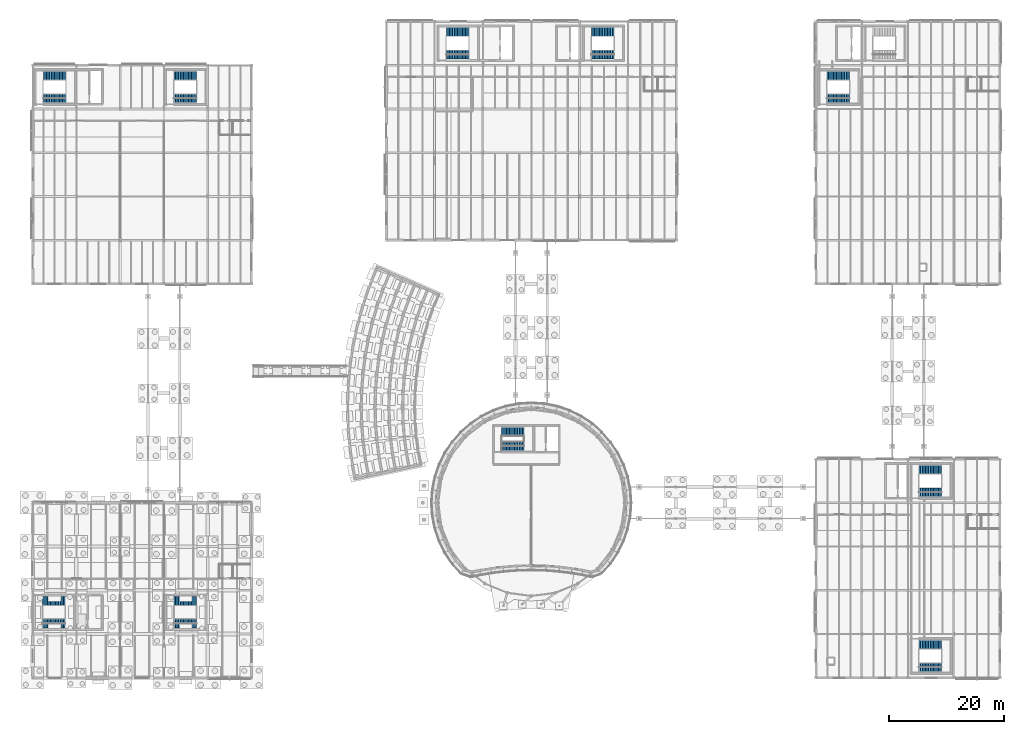
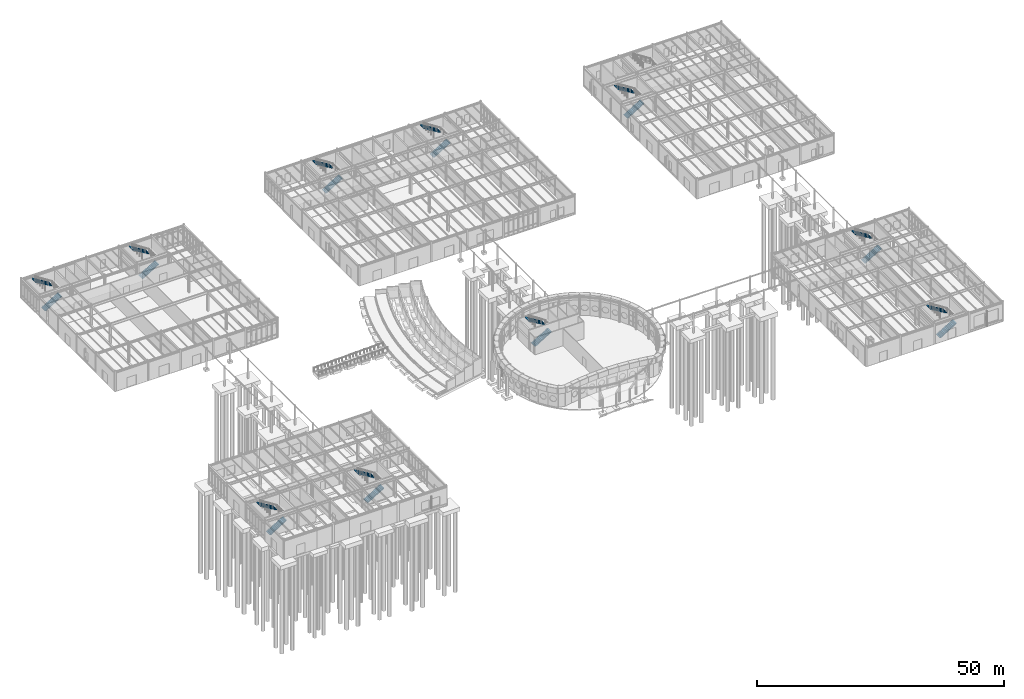
# One storey, part 95 of 109: 20 stair flights, 10 elements without a shape of their own.
"""IFC4 building model written with IfcOpenShell, lengths in metres."""

import ifcopenshell
import ifcopenshell.guid

model = None  # the IFC model being written
_history = None  # IfcOwnerHistory: only IFC2X3 demands one
_inside = {}  # id of a spatial element -> (the spatial element, [elements in it])
_under = {}  # id of a project, library or spatial element -> (it, [spatial elements below it])
_declared = {}  # id of a project -> (the project, [libraries it declares])
_typed = {}  # id of a type object -> (the type object, [elements of that type])
_made_of = {}  # id of a material, layer set ... -> (it, [elements and type objects made of it])


def new_model(schema):
    """Start an empty IFC model of exactly this schema.

    Asked for "IFC4X3", IfcOpenShell would pick the latest addendum, in which some entities
    have other attributes; the version numbers below select the first issue.
    IFC2X3 requires an IfcOwnerHistory on every rooted entity: one is made here for all.
    """
    global model, _history
    if schema == "IFC4X3":
        model = ifcopenshell.file(schema_version=(4, 3, 0, 0))
    else:
        model = ifcopenshell.file(schema=schema)
    _inside.clear()
    _under.clear()
    _declared.clear()
    _typed.clear()
    _made_of.clear()
    _history = None
    if model.schema == "IFC2X3":
        org = make("IfcOrganization", Name="unknown")
        user = make(
            "IfcPersonAndOrganization",
            ThePerson=make("IfcPerson", FamilyName="unknown"),
            TheOrganization=org,
        )
        app = make(
            "IfcApplication",
            ApplicationDeveloper=org,
            Version="unknown",
            ApplicationFullName="unknown",
            ApplicationIdentifier="unknown",
        )
        _history = make(
            "IfcOwnerHistory",
            OwningUser=user,
            OwningApplication=app,
            ChangeAction="ADDED",
            CreationDate=0,
        )
    return model


def make(cls, **values):
    """One entity of the class cls with the attributes given. An attribute that is None is left unset."""
    return model.create_entity(
        cls, **{name: value for name, value in values.items() if value is not None}
    )


def rooted(cls, **values):
    """An entity with a GlobalId (a new one), such as an element, a storey or a relation."""
    return make(cls, GlobalId=ifcopenshell.guid.new(), OwnerHistory=_history, **values)


def si_unit(unit_type, name, prefix=None):
    """IfcSIUnit, for example si_unit("LENGTHUNIT", "METRE", prefix="MILLI")."""
    return make("IfcSIUnit", UnitType=unit_type, Prefix=prefix, Name=name)


def assignment(units):
    """IfcUnitAssignment: the units of a project."""
    return None if units is None else make("IfcUnitAssignment", Units=units)


def point(xyz):
    """IfcCartesianPoint."""
    return None if xyz is None else make("IfcCartesianPoint", Coordinates=xyz)


def direction(xyz):
    """IfcDirection."""
    return None if xyz is None else make("IfcDirection", DirectionRatios=xyz)


def frame(location, z_axis=None, x_axis=None):
    """IfcAxis2Placement3D, a coordinate frame: its origin and axes. An axis left out is left unset."""
    return make(
        "IfcAxis2Placement3D",
        Location=point(location),
        Axis=direction(z_axis),
        RefDirection=direction(x_axis),
    )


def origin():
    """The frame at (0, 0, 0) with its axes left unset."""
    return frame((0.0, 0.0, 0.0))


def place(relative_to, where):
    """IfcLocalPlacement: puts the frame where relative to a parent placement (None: the world)."""
    return make(
        "IfcLocalPlacement", PlacementRelTo=relative_to, RelativePlacement=where
    )


def context(
    kind, dimensions, precision=None, world=None, true_north=None, identifier=None
):
    """IfcGeometricRepresentationContext, for example the 3D "Model" context."""
    return make(
        "IfcGeometricRepresentationContext",
        ContextIdentifier=identifier,
        ContextType=kind,
        CoordinateSpaceDimension=dimensions,
        Precision=precision,
        WorldCoordinateSystem=world,
        TrueNorth=true_north,
    )


def subcontext(parent, identifier, kind, view, scale=None):
    """IfcGeometricRepresentationSubContext, for example "Body" below "Model"."""
    return make(
        "IfcGeometricRepresentationSubContext",
        ContextIdentifier=identifier,
        ContextType=kind,
        ParentContext=parent,
        TargetScale=scale,
        TargetView=view,
    )


def project(units=None, contexts=None):
    """IfcProject with its units and contexts."""
    return rooted(
        "IfcProject",
        Name="project",
        RepresentationContexts=contexts,
        UnitsInContext=assignment(units),
    )


def spatial(cls, under=None, at=None, **own):
    """A site, building, storey or space (cls), placed at a placement, below another one or the project."""
    s = rooted(cls, ObjectPlacement=at, **own)
    if under is not None:
        _under.setdefault(under.id(), (under, []))[1].append(s)
    return s


def polyline(points):
    """IfcPolyline through the points."""
    return make("IfcPolyline", Points=[point(p) for p in points])


def outline(outer, holes=None, kind="AREA"):
    """IfcArbitraryClosedProfileDef: a profile drawn as a closed curve; with holes, ...WithVoids."""
    if holes is None:
        return make("IfcArbitraryClosedProfileDef", ProfileType=kind, OuterCurve=outer)
    return make(
        "IfcArbitraryProfileDefWithVoids",
        ProfileType=kind,
        OuterCurve=outer,
        InnerCurves=holes,
    )


def extrude(swept, where, along, depth):
    """IfcExtrudedAreaSolid: the profile swept, set in the frame where, extruded along a direction by depth."""
    return make(
        "IfcExtrudedAreaSolid",
        SweptArea=swept,
        Position=where,
        ExtrudedDirection=direction(along),
        Depth=depth,
    )


def shape(context_of_items, identifier, shape_type, items):
    """IfcShapeRepresentation: the items that make up one representation, for example the "Body"."""
    return make(
        "IfcShapeRepresentation",
        ContextOfItems=context_of_items,
        RepresentationIdentifier=identifier,
        RepresentationType=shape_type,
        Items=items,
    )


def material(Name=None, Category=None):
    """IfcMaterial."""
    return make("IfcMaterial", Name=Name, Category=Category)


def made_of(thing, what):
    """Note that an element or type object is made of a material, layer set ...; save() writes the relation."""
    if what is not None:
        _made_of.setdefault(what.id(), (what, []))[1].append(thing)
    return thing


def type_object(cls, material=None, **own):
    """A type object (cls), such as IfcWallType, which elements share."""
    return made_of(rooted(cls, **own), material)


def element(
    cls,
    number,
    at=None,
    inside=None,
    cuts=None,
    type_object=None,
    material=None,
    context=None,
    identifier="Body",
    shape_type=None,
    held_by="IfcProductDefinitionShape",
    body=None,
    shapes=None,
    **own,
):
    """One element of the class cls, such as IfcWall. Its Tag is "e" and its number.

    at: its placement. inside: the storey or other place that contains it. cuts: it is an
    opening in that element (IfcRelVoidsElement). A single representation is given by context,
    identifier, shape_type and body (its items); several are given by shapes. held_by: the class
    of the entity that holds the representations. save() writes the other relations.
    """
    e = rooted(cls, Tag="e%d" % number, ObjectPlacement=at, **own)
    if body is not None:
        shapes = [shape(context, identifier, shape_type, body)]
    if shapes is not None:
        e.Representation = make(held_by, Representations=shapes)
    if inside is not None:
        _inside.setdefault(inside.id(), (inside, []))[1].append(e)
    if cuts is not None:
        rooted(
            "IfcRelVoidsElement", RelatingBuildingElement=cuts, RelatedOpeningElement=e
        )
    if type_object is not None:
        _typed.setdefault(type_object.id(), (type_object, []))[1].append(e)
    return made_of(e, material)


def aggregate(whole, parts):
    """IfcRelAggregates: a whole, such as a stair, and the parts it consists of."""
    return rooted("IfcRelAggregates", RelatingObject=whole, RelatedObjects=parts)


def save(model, path):
    """Write the relations noted so far, then the file.

    IfcRelAggregates (storeys below a building ...), IfcRelContainedInSpatialStructure (elements
    in a storey), IfcRelDefinesByType, IfcRelAssociatesMaterial and IfcRelDeclares: one each for
    every whole, place, type object, material and project.
    """
    for whole, parts in _under.values():
        aggregate(whole, parts)
    for where, things in _inside.values():
        rooted(
            "IfcRelContainedInSpatialStructure",
            RelatedElements=things,
            RelatingStructure=where,
        )
    for kind, things in _typed.values():
        rooted("IfcRelDefinesByType", RelatedObjects=things, RelatingType=kind)
    for what, things in _made_of.values():
        rooted("IfcRelAssociatesMaterial", RelatedObjects=things, RelatingMaterial=what)
    for by, libraries in _declared.values():
        rooted("IfcRelDeclares", RelatingContext=by, RelatedDefinitions=libraries)
    model.write(path)


model = new_model("IFC4")

# Units and contexts
model_context = context("Model", 3, precision=1e-05, world=origin(), true_north=direction((0.0, 1.0)))
body_context = subcontext(model_context, "Body", "Model", "MODEL_VIEW")
ifc_project = project(units=[si_unit("LENGTHUNIT", "METRE"), si_unit("AREAUNIT", "SQUARE_METRE"), si_unit("VOLUMEUNIT", "CUBIC_METRE"), si_unit("PLANEANGLEUNIT", "RADIAN"), si_unit("MASSUNIT", "GRAM", prefix="KILO")], contexts=[model_context])

# Site, building, storey
site_placement = place(None, origin())
site = spatial("IfcSite", under=ifc_project, at=site_placement, CompositionType="ELEMENT")
building_placement = place(site_placement, origin())
building = spatial("IfcBuilding", under=site, at=building_placement, Name="Montecoro Central Library", CompositionType="ELEMENT")
storey_placement = place(building_placement, origin())
storey = spatial("IfcBuildingStorey", under=building, at=storey_placement, Name="L00", CompositionType="ELEMENT", Elevation=0.0)

# Stair, stair flights
ifc_material = material(Name="Concrete C35/45", Category="concrete")
stair_type = type_object("IfcStairType", Name="STR-RET-150", PredefinedType="HALF_TURN_STAIR", material=ifc_material)
stair_1_placement = place(storey_placement, origin())
stair_1 = element("IfcStair", 1, at=stair_1_placement, inside=storey, type_object=stair_type, Name="C1-L00-STR", PredefinedType="HALF_TURN_STAIR")
stair_flight_type = type_object("IfcStairFlightType", Name="SFL-01", PredefinedType="STRAIGHT", material=ifc_material)
stair_flight_1_placement = place(storey_placement, frame((86.419921875, 45.25, 0.0), z_axis=(0.0, 0.0, 1.0), x_axis=(1.0, 0.0, 0.0)))
stair_flight_1 = element("IfcStairFlight", 2, at=stair_flight_1_placement, type_object=stair_flight_type, Name="ST-01 flight 1", NumberOfRisers=15, NumberOfTreads=14, PredefinedType="STRAIGHT", RiserHeight=0.17, TreadLength=0.28, context=body_context, shape_type="SweptSolid", body=[
    extrude(outline(polyline([(0.0, 0.0), (0.0, 0.169921875), (0.280029296875, 0.169921875), (0.280029296875, 0.340087890625), (0.56005859375, 0.340087890625), (0.56005859375, 0.510009765625), (0.840087890625, 0.510009765625), (0.840087890625, 0.679931640625), (1.1201171875, 0.679931640625), (1.1201171875, 0.85009765625), (1.39990234375, 0.85009765625), (1.39990234375, 1.02001953125), (1.679931640625, 1.02001953125), (1.679931640625, 1.18994140625), (1.9599609375, 1.18994140625), (1.9599609375, 1.360107421875), (2.239990234375, 1.360107421875), (2.239990234375, 1.530029296875), (2.52001953125, 1.530029296875), (2.52001953125, 1.699951171875), (2.800048828125, 1.699951171875), (2.800048828125, 1.8701171875), (3.080078125, 1.8701171875), (3.080078125, 2.0400390625), (3.360107421875, 2.0400390625), (3.360107421875, 2.2099609375), (3.639892578125, 2.2099609375), (3.639892578125, 2.3798828125), (3.919921875, 2.3798828125), (3.919921875, 2.550048828125), (3.919921875, 2.19287109375), (0.30810546875, 0.0), (0.0, 0.0)])), frame((0.0, 0.75, 0.0), z_axis=(0.0, -1.0, 0.0), x_axis=(1.0, 0.0, 0.0)), (0.0, 0.0, 1.0), 1.5),
])
stair_flight_2_placement = place(storey_placement, frame((90.340087890625, 47.75, 2.550048828125), z_axis=(0.0, 0.0, 1.0), x_axis=(-1.0, 0.0, 0.0)))
stair_flight_2 = element("IfcStairFlight", 3, at=stair_flight_2_placement, type_object=stair_flight_type, Name="ST-01 flight 2", NumberOfRisers=15, NumberOfTreads=14, PredefinedType="STRAIGHT", RiserHeight=0.17, TreadLength=0.28, context=body_context, shape_type="SweptSolid", body=[
    extrude(outline(polyline([(0.0, 0.0), (0.0, 0.169921875), (0.280029296875, 0.169921875), (0.280029296875, 0.340087890625), (0.56005859375, 0.340087890625), (0.56005859375, 0.510009765625), (0.840087890625, 0.510009765625), (0.840087890625, 0.679931640625), (1.1201171875, 0.679931640625), (1.1201171875, 0.85009765625), (1.39990234375, 0.85009765625), (1.39990234375, 1.02001953125), (1.679931640625, 1.02001953125), (1.679931640625, 1.18994140625), (1.9599609375, 1.18994140625), (1.9599609375, 1.360107421875), (2.239990234375, 1.360107421875), (2.239990234375, 1.530029296875), (2.52001953125, 1.530029296875), (2.52001953125, 1.699951171875), (2.800048828125, 1.699951171875), (2.800048828125, 1.8701171875), (3.080078125, 1.8701171875), (3.080078125, 2.0400390625), (3.360107421875, 2.0400390625), (3.360107421875, 2.2099609375), (3.639892578125, 2.2099609375), (3.639892578125, 2.3798828125), (3.919921875, 2.3798828125), (3.919921875, 2.550048828125), (3.919921875, 2.19287109375), (0.30810546875, 0.0), (0.0, 0.0)])), frame((0.0, 0.75, 0.0), z_axis=(0.0, -1.0, 0.0), x_axis=(1.0, 0.0, 0.0)), (0.0, 0.0, 1.0), 1.5),
])
aggregate(stair_1, [stair_flight_1, stair_flight_2])

stair_2_placement = place(storey_placement, origin())
stair_2 = element("IfcStair", 4, at=stair_2_placement, inside=storey, type_object=stair_type, Name="C2-L00-STR", PredefinedType="HALF_TURN_STAIR")
stair_flight_3_placement = place(storey_placement, frame((76.820068359375, 113.25, 0.0), z_axis=(0.0, 0.0, 1.0), x_axis=(1.0, 0.0, 0.0)))
stair_flight_3 = element("IfcStairFlight", 5, at=stair_flight_3_placement, type_object=stair_flight_type, Name="ST-02 flight 1", NumberOfRisers=15, NumberOfTreads=14, PredefinedType="STRAIGHT", RiserHeight=0.17, TreadLength=0.28, context=body_context, shape_type="SweptSolid", body=[
    extrude(outline(polyline([(0.0, 0.0), (0.0, 0.169921875), (0.280029296875, 0.169921875), (0.280029296875, 0.340087890625), (0.56005859375, 0.340087890625), (0.56005859375, 0.510009765625), (0.840087890625, 0.510009765625), (0.840087890625, 0.679931640625), (1.1201171875, 0.679931640625), (1.1201171875, 0.85009765625), (1.39990234375, 0.85009765625), (1.39990234375, 1.02001953125), (1.679931640625, 1.02001953125), (1.679931640625, 1.18994140625), (1.9599609375, 1.18994140625), (1.9599609375, 1.360107421875), (2.239990234375, 1.360107421875), (2.239990234375, 1.530029296875), (2.52001953125, 1.530029296875), (2.52001953125, 1.699951171875), (2.800048828125, 1.699951171875), (2.800048828125, 1.8701171875), (3.080078125, 1.8701171875), (3.080078125, 2.0400390625), (3.360107421875, 2.0400390625), (3.360107421875, 2.2099609375), (3.639892578125, 2.2099609375), (3.639892578125, 2.3798828125), (3.919921875, 2.3798828125), (3.919921875, 2.550048828125), (3.919921875, 2.19287109375), (0.30810546875, 0.0), (0.0, 0.0)])), frame((0.0, 0.75, 0.0), z_axis=(0.0, -1.0, 0.0), x_axis=(1.0, 0.0, 0.0)), (0.0, 0.0, 1.0), 1.5),
])
stair_flight_4_placement = place(storey_placement, frame((80.739990234375, 117.14990234375, 2.550048828125), z_axis=(0.0, 0.0, 1.0), x_axis=(-1.0, 0.0, 0.0)))
stair_flight_4 = element("IfcStairFlight", 6, at=stair_flight_4_placement, type_object=stair_flight_type, Name="ST-02 flight 2", NumberOfRisers=15, NumberOfTreads=14, PredefinedType="STRAIGHT", RiserHeight=0.17, TreadLength=0.28, context=body_context, shape_type="SweptSolid", body=[
    extrude(outline(polyline([(0.0, 0.0), (0.0, 0.169921875), (0.280029296875, 0.169921875), (0.280029296875, 0.340087890625), (0.56005859375, 0.340087890625), (0.56005859375, 0.510009765625), (0.840087890625, 0.510009765625), (0.840087890625, 0.679931640625), (1.1201171875, 0.679931640625), (1.1201171875, 0.85009765625), (1.39990234375, 0.85009765625), (1.39990234375, 1.02001953125), (1.679931640625, 1.02001953125), (1.679931640625, 1.18994140625), (1.9599609375, 1.18994140625), (1.9599609375, 1.360107421875), (2.239990234375, 1.360107421875), (2.239990234375, 1.530029296875), (2.52001953125, 1.530029296875), (2.52001953125, 1.699951171875), (2.800048828125, 1.699951171875), (2.800048828125, 1.8701171875), (3.080078125, 1.8701171875), (3.080078125, 2.0400390625), (3.360107421875, 2.0400390625), (3.360107421875, 2.2099609375), (3.639892578125, 2.2099609375), (3.639892578125, 2.3798828125), (3.919921875, 2.3798828125), (3.919921875, 2.550048828125), (3.919921875, 2.19287109375), (0.30810546875, 0.0), (0.0, 0.0)])), frame((0.0, 0.75, 0.0), z_axis=(0.0, -1.0, 0.0), x_axis=(1.0, 0.0, 0.0)), (0.0, 0.0, 1.0), 1.5),
])
aggregate(stair_2, [stair_flight_3, stair_flight_4])

stair_3_placement = place(storey_placement, origin())
stair_3 = element("IfcStair", 7, at=stair_3_placement, inside=storey, type_object=stair_type, Name="C3-L00-STR", PredefinedType="HALF_TURN_STAIR")
stair_flight_5_placement = place(storey_placement, frame((102.02001953125, 113.25, 0.0), z_axis=(0.0, 0.0, 1.0), x_axis=(1.0, 0.0, 0.0)))
stair_flight_5 = element("IfcStairFlight", 8, at=stair_flight_5_placement, type_object=stair_flight_type, Name="ST-03 flight 1", NumberOfRisers=15, NumberOfTreads=14, PredefinedType="STRAIGHT", RiserHeight=0.17, TreadLength=0.28, context=body_context, shape_type="SweptSolid", body=[
    extrude(outline(polyline([(0.0, 0.0), (0.0, 0.169921875), (0.280029296875, 0.169921875), (0.280029296875, 0.340087890625), (0.56005859375, 0.340087890625), (0.56005859375, 0.510009765625), (0.840087890625, 0.510009765625), (0.840087890625, 0.679931640625), (1.1201171875, 0.679931640625), (1.1201171875, 0.85009765625), (1.39990234375, 0.85009765625), (1.39990234375, 1.02001953125), (1.679931640625, 1.02001953125), (1.679931640625, 1.18994140625), (1.9599609375, 1.18994140625), (1.9599609375, 1.360107421875), (2.239990234375, 1.360107421875), (2.239990234375, 1.530029296875), (2.52001953125, 1.530029296875), (2.52001953125, 1.699951171875), (2.800048828125, 1.699951171875), (2.800048828125, 1.8701171875), (3.080078125, 1.8701171875), (3.080078125, 2.0400390625), (3.360107421875, 2.0400390625), (3.360107421875, 2.2099609375), (3.639892578125, 2.2099609375), (3.639892578125, 2.3798828125), (3.919921875, 2.3798828125), (3.919921875, 2.550048828125), (3.919921875, 2.19287109375), (0.30810546875, 0.0), (0.0, 0.0)])), frame((0.0, 0.75, 0.0), z_axis=(0.0, -1.0, 0.0), x_axis=(1.0, 0.0, 0.0)), (0.0, 0.0, 1.0), 1.5),
])
stair_flight_6_placement = place(storey_placement, frame((105.93994140625, 117.14990234375, 2.550048828125), z_axis=(0.0, 0.0, 1.0), x_axis=(-1.0, 0.0, 0.0)))
stair_flight_6 = element("IfcStairFlight", 9, at=stair_flight_6_placement, type_object=stair_flight_type, Name="ST-03 flight 2", NumberOfRisers=15, NumberOfTreads=14, PredefinedType="STRAIGHT", RiserHeight=0.17, TreadLength=0.28, context=body_context, shape_type="SweptSolid", body=[
    extrude(outline(polyline([(0.0, 0.0), (0.0, 0.169921875), (0.280029296875, 0.169921875), (0.280029296875, 0.340087890625), (0.56005859375, 0.340087890625), (0.56005859375, 0.510009765625), (0.840087890625, 0.510009765625), (0.840087890625, 0.679931640625), (1.1201171875, 0.679931640625), (1.1201171875, 0.85009765625), (1.39990234375, 0.85009765625), (1.39990234375, 1.02001953125), (1.679931640625, 1.02001953125), (1.679931640625, 1.18994140625), (1.9599609375, 1.18994140625), (1.9599609375, 1.360107421875), (2.239990234375, 1.360107421875), (2.239990234375, 1.530029296875), (2.52001953125, 1.530029296875), (2.52001953125, 1.699951171875), (2.800048828125, 1.699951171875), (2.800048828125, 1.8701171875), (3.080078125, 1.8701171875), (3.080078125, 2.0400390625), (3.360107421875, 2.0400390625), (3.360107421875, 2.2099609375), (3.639892578125, 2.2099609375), (3.639892578125, 2.3798828125), (3.919921875, 2.3798828125), (3.919921875, 2.550048828125), (3.919921875, 2.19287109375), (0.30810546875, 0.0), (0.0, 0.0)])), frame((0.0, 0.75, 0.0), z_axis=(0.0, -1.0, 0.0), x_axis=(1.0, 0.0, 0.0)), (0.0, 0.0, 1.0), 1.5),
])
aggregate(stair_3, [stair_flight_5, stair_flight_6])

stair_4_placement = place(storey_placement, origin())
stair_4 = element("IfcStair", 10, at=stair_4_placement, inside=storey, type_object=stair_type, Name="C4-L00-STR", PredefinedType="HALF_TURN_STAIR")
stair_flight_7_placement = place(storey_placement, frame((6.719970703125, 14.449951171875, 0.0), z_axis=(0.0, 0.0, 1.0), x_axis=(1.0, 0.0, 0.0)))
stair_flight_7 = element("IfcStairFlight", 11, at=stair_flight_7_placement, type_object=stair_flight_type, Name="ST-04 flight 1", NumberOfRisers=15, NumberOfTreads=14, PredefinedType="STRAIGHT", RiserHeight=0.17, TreadLength=0.28, context=body_context, shape_type="SweptSolid", body=[
    extrude(outline(polyline([(0.0, 0.0), (0.0, 0.169921875), (0.280029296875, 0.169921875), (0.280029296875, 0.340087890625), (0.56005859375, 0.340087890625), (0.56005859375, 0.510009765625), (0.840087890625, 0.510009765625), (0.840087890625, 0.679931640625), (1.1201171875, 0.679931640625), (1.1201171875, 0.85009765625), (1.39990234375, 0.85009765625), (1.39990234375, 1.02001953125), (1.679931640625, 1.02001953125), (1.679931640625, 1.18994140625), (1.9599609375, 1.18994140625), (1.9599609375, 1.360107421875), (2.239990234375, 1.360107421875), (2.239990234375, 1.530029296875), (2.52001953125, 1.530029296875), (2.52001953125, 1.699951171875), (2.800048828125, 1.699951171875), (2.800048828125, 1.8701171875), (3.080078125, 1.8701171875), (3.080078125, 2.0400390625), (3.360107421875, 2.0400390625), (3.360107421875, 2.2099609375), (3.639892578125, 2.2099609375), (3.639892578125, 2.3798828125), (3.919921875, 2.3798828125), (3.919921875, 2.550048828125), (3.919921875, 2.19287109375), (0.30810546875, 0.0), (0.0, 0.0)])), frame((0.0, 0.75, 0.0), z_axis=(0.0, -1.0, 0.0), x_axis=(1.0, 0.0, 0.0)), (0.0, 0.0, 1.0), 1.5),
])
stair_flight_8_placement = place(storey_placement, frame((10.639892578125, 18.35009765625, 2.550048828125), z_axis=(0.0, 0.0, 1.0), x_axis=(-1.0, 0.0, 0.0)))
stair_flight_8 = element("IfcStairFlight", 12, at=stair_flight_8_placement, type_object=stair_flight_type, Name="ST-04 flight 2", NumberOfRisers=15, NumberOfTreads=14, PredefinedType="STRAIGHT", RiserHeight=0.17, TreadLength=0.28, context=body_context, shape_type="SweptSolid", body=[
    extrude(outline(polyline([(0.0, 0.0), (0.0, 0.169921875), (0.280029296875, 0.169921875), (0.280029296875, 0.340087890625), (0.56005859375, 0.340087890625), (0.56005859375, 0.510009765625), (0.840087890625, 0.510009765625), (0.840087890625, 0.679931640625), (1.1201171875, 0.679931640625), (1.1201171875, 0.85009765625), (1.39990234375, 0.85009765625), (1.39990234375, 1.02001953125), (1.679931640625, 1.02001953125), (1.679931640625, 1.18994140625), (1.9599609375, 1.18994140625), (1.9599609375, 1.360107421875), (2.239990234375, 1.360107421875), (2.239990234375, 1.530029296875), (2.52001953125, 1.530029296875), (2.52001953125, 1.699951171875), (2.800048828125, 1.699951171875), (2.800048828125, 1.8701171875), (3.080078125, 1.8701171875), (3.080078125, 2.0400390625), (3.360107421875, 2.0400390625), (3.360107421875, 2.2099609375), (3.639892578125, 2.2099609375), (3.639892578125, 2.3798828125), (3.919921875, 2.3798828125), (3.919921875, 2.550048828125), (3.919921875, 2.19287109375), (0.30810546875, 0.0), (0.0, 0.0)])), frame((0.0, 0.75, 0.0), z_axis=(0.0, -1.0, 0.0), x_axis=(1.0, 0.0, 0.0)), (0.0, 0.0, 1.0), 1.5),
])
aggregate(stair_4, [stair_flight_7, stair_flight_8])

stair_5_placement = place(storey_placement, origin())
stair_5 = element("IfcStair", 13, at=stair_5_placement, inside=storey, type_object=stair_type, Name="C5-L00-STR", PredefinedType="HALF_TURN_STAIR")
stair_flight_9_placement = place(storey_placement, frame((6.840087890625, 105.64990234375, 0.0), z_axis=(0.0, 0.0, 1.0), x_axis=(1.0, 0.0, 0.0)))
stair_flight_9 = element("IfcStairFlight", 14, at=stair_flight_9_placement, type_object=stair_flight_type, Name="ST-05 flight 1", NumberOfRisers=15, NumberOfTreads=14, PredefinedType="STRAIGHT", RiserHeight=0.17, TreadLength=0.28, context=body_context, shape_type="SweptSolid", body=[
    extrude(outline(polyline([(0.0, 0.0), (0.0, 0.169921875), (0.280029296875, 0.169921875), (0.280029296875, 0.340087890625), (0.56005859375, 0.340087890625), (0.56005859375, 0.510009765625), (0.840087890625, 0.510009765625), (0.840087890625, 0.679931640625), (1.1201171875, 0.679931640625), (1.1201171875, 0.85009765625), (1.39990234375, 0.85009765625), (1.39990234375, 1.02001953125), (1.679931640625, 1.02001953125), (1.679931640625, 1.18994140625), (1.9599609375, 1.18994140625), (1.9599609375, 1.360107421875), (2.239990234375, 1.360107421875), (2.239990234375, 1.530029296875), (2.52001953125, 1.530029296875), (2.52001953125, 1.699951171875), (2.800048828125, 1.699951171875), (2.800048828125, 1.8701171875), (3.080078125, 1.8701171875), (3.080078125, 2.0400390625), (3.360107421875, 2.0400390625), (3.360107421875, 2.2099609375), (3.639892578125, 2.2099609375), (3.639892578125, 2.3798828125), (3.919921875, 2.3798828125), (3.919921875, 2.550048828125), (3.919921875, 2.19287109375), (0.30810546875, 0.0), (0.0, 0.0)])), frame((0.0, 0.75, 0.0), z_axis=(0.0, -1.0, 0.0), x_axis=(1.0, 0.0, 0.0)), (0.0, 0.0, 1.0), 1.5),
])
stair_flight_10_placement = place(storey_placement, frame((10.760009765625, 109.550048828125, 2.550048828125), z_axis=(0.0, 0.0, 1.0), x_axis=(-1.0, 0.0, 0.0)))
stair_flight_10 = element("IfcStairFlight", 15, at=stair_flight_10_placement, type_object=stair_flight_type, Name="ST-05 flight 2", NumberOfRisers=15, NumberOfTreads=14, PredefinedType="STRAIGHT", RiserHeight=0.17, TreadLength=0.28, context=body_context, shape_type="SweptSolid", body=[
    extrude(outline(polyline([(0.0, 0.0), (0.0, 0.169921875), (0.280029296875, 0.169921875), (0.280029296875, 0.340087890625), (0.56005859375, 0.340087890625), (0.56005859375, 0.510009765625), (0.840087890625, 0.510009765625), (0.840087890625, 0.679931640625), (1.1201171875, 0.679931640625), (1.1201171875, 0.85009765625), (1.39990234375, 0.85009765625), (1.39990234375, 1.02001953125), (1.679931640625, 1.02001953125), (1.679931640625, 1.18994140625), (1.9599609375, 1.18994140625), (1.9599609375, 1.360107421875), (2.239990234375, 1.360107421875), (2.239990234375, 1.530029296875), (2.52001953125, 1.530029296875), (2.52001953125, 1.699951171875), (2.800048828125, 1.699951171875), (2.800048828125, 1.8701171875), (3.080078125, 1.8701171875), (3.080078125, 2.0400390625), (3.360107421875, 2.0400390625), (3.360107421875, 2.2099609375), (3.639892578125, 2.2099609375), (3.639892578125, 2.3798828125), (3.919921875, 2.3798828125), (3.919921875, 2.550048828125), (3.919921875, 2.19287109375), (0.30810546875, 0.0), (0.0, 0.0)])), frame((0.0, 0.75, 0.0), z_axis=(0.0, -1.0, 0.0), x_axis=(1.0, 0.0, 0.0)), (0.0, 0.0, 1.0), 1.5),
])
aggregate(stair_5, [stair_flight_9, stair_flight_10])

stair_6_placement = place(storey_placement, origin())
stair_6 = element("IfcStair", 16, at=stair_6_placement, inside=storey, type_object=stair_type, Name="C7-L00-STR", PredefinedType="HALF_TURN_STAIR")
stair_flight_11_placement = place(storey_placement, frame((158.919921875, 37.25, 0.0), z_axis=(0.0, 0.0, 1.0), x_axis=(1.0, 0.0, 0.0)))
stair_flight_11 = element("IfcStairFlight", 17, at=stair_flight_11_placement, type_object=stair_flight_type, Name="ST-07 flight 1", NumberOfRisers=15, NumberOfTreads=14, PredefinedType="STRAIGHT", RiserHeight=0.17, TreadLength=0.28, context=body_context, shape_type="SweptSolid", body=[
    extrude(outline(polyline([(0.0, 0.0), (0.0, 0.169921875), (0.280029296875, 0.169921875), (0.280029296875, 0.340087890625), (0.56005859375, 0.340087890625), (0.56005859375, 0.510009765625), (0.840087890625, 0.510009765625), (0.840087890625, 0.679931640625), (1.1201171875, 0.679931640625), (1.1201171875, 0.85009765625), (1.39990234375, 0.85009765625), (1.39990234375, 1.02001953125), (1.679931640625, 1.02001953125), (1.679931640625, 1.18994140625), (1.9599609375, 1.18994140625), (1.9599609375, 1.360107421875), (2.239990234375, 1.360107421875), (2.239990234375, 1.530029296875), (2.52001953125, 1.530029296875), (2.52001953125, 1.699951171875), (2.800048828125, 1.699951171875), (2.800048828125, 1.8701171875), (3.080078125, 1.8701171875), (3.080078125, 2.0400390625), (3.360107421875, 2.0400390625), (3.360107421875, 2.2099609375), (3.639892578125, 2.2099609375), (3.639892578125, 2.3798828125), (3.919921875, 2.3798828125), (3.919921875, 2.550048828125), (3.919921875, 2.19287109375), (0.30810546875, 0.0), (0.0, 0.0)])), frame((0.0, 0.75, 0.0), z_axis=(0.0, -1.0, 0.0), x_axis=(1.0, 0.0, 0.0)), (0.0, 0.0, 1.0), 1.5),
])
stair_flight_12_placement = place(storey_placement, frame((162.840087890625, 41.14990234375, 2.550048828125), z_axis=(0.0, 0.0, 1.0), x_axis=(-1.0, 0.0, 0.0)))
stair_flight_12 = element("IfcStairFlight", 18, at=stair_flight_12_placement, type_object=stair_flight_type, Name="ST-07 flight 2", NumberOfRisers=15, NumberOfTreads=14, PredefinedType="STRAIGHT", RiserHeight=0.17, TreadLength=0.28, context=body_context, shape_type="SweptSolid", body=[
    extrude(outline(polyline([(0.0, 0.0), (0.0, 0.169921875), (0.280029296875, 0.169921875), (0.280029296875, 0.340087890625), (0.56005859375, 0.340087890625), (0.56005859375, 0.510009765625), (0.840087890625, 0.510009765625), (0.840087890625, 0.679931640625), (1.1201171875, 0.679931640625), (1.1201171875, 0.85009765625), (1.39990234375, 0.85009765625), (1.39990234375, 1.02001953125), (1.679931640625, 1.02001953125), (1.679931640625, 1.18994140625), (1.9599609375, 1.18994140625), (1.9599609375, 1.360107421875), (2.239990234375, 1.360107421875), (2.239990234375, 1.530029296875), (2.52001953125, 1.530029296875), (2.52001953125, 1.699951171875), (2.800048828125, 1.699951171875), (2.800048828125, 1.8701171875), (3.080078125, 1.8701171875), (3.080078125, 2.0400390625), (3.360107421875, 2.0400390625), (3.360107421875, 2.2099609375), (3.639892578125, 2.2099609375), (3.639892578125, 2.3798828125), (3.919921875, 2.3798828125), (3.919921875, 2.550048828125), (3.919921875, 2.19287109375), (0.30810546875, 0.0), (0.0, 0.0)])), frame((0.0, 0.75, 0.0), z_axis=(0.0, -1.0, 0.0), x_axis=(1.0, 0.0, 0.0)), (0.0, 0.0, 1.0), 1.5),
])
aggregate(stair_6, [stair_flight_11, stair_flight_12])

stair_7_placement = place(storey_placement, origin())
stair_7 = element("IfcStair", 19, at=stair_7_placement, inside=storey, type_object=stair_type, Name="C8-L00-STR", PredefinedType="HALF_TURN_STAIR")
stair_flight_13_placement = place(storey_placement, frame((142.919921875, 105.64990234375, 0.0), z_axis=(0.0, 0.0, 1.0), x_axis=(1.0, 0.0, 0.0)))
stair_flight_13 = element("IfcStairFlight", 20, at=stair_flight_13_placement, type_object=stair_flight_type, Name="ST-08 flight 1", NumberOfRisers=15, NumberOfTreads=14, PredefinedType="STRAIGHT", RiserHeight=0.17, TreadLength=0.28, context=body_context, shape_type="SweptSolid", body=[
    extrude(outline(polyline([(0.0, 0.0), (0.0, 0.169921875), (0.280029296875, 0.169921875), (0.280029296875, 0.340087890625), (0.56005859375, 0.340087890625), (0.56005859375, 0.510009765625), (0.840087890625, 0.510009765625), (0.840087890625, 0.679931640625), (1.1201171875, 0.679931640625), (1.1201171875, 0.85009765625), (1.39990234375, 0.85009765625), (1.39990234375, 1.02001953125), (1.679931640625, 1.02001953125), (1.679931640625, 1.18994140625), (1.9599609375, 1.18994140625), (1.9599609375, 1.360107421875), (2.239990234375, 1.360107421875), (2.239990234375, 1.530029296875), (2.52001953125, 1.530029296875), (2.52001953125, 1.699951171875), (2.800048828125, 1.699951171875), (2.800048828125, 1.8701171875), (3.080078125, 1.8701171875), (3.080078125, 2.0400390625), (3.360107421875, 2.0400390625), (3.360107421875, 2.2099609375), (3.639892578125, 2.2099609375), (3.639892578125, 2.3798828125), (3.919921875, 2.3798828125), (3.919921875, 2.550048828125), (3.919921875, 2.19287109375), (0.30810546875, 0.0), (0.0, 0.0)])), frame((0.0, 0.75, 0.0), z_axis=(0.0, -1.0, 0.0), x_axis=(1.0, 0.0, 0.0)), (0.0, 0.0, 1.0), 1.5),
])
stair_flight_14_placement = place(storey_placement, frame((146.840087890625, 109.550048828125, 2.550048828125), z_axis=(0.0, 0.0, 1.0), x_axis=(-1.0, 0.0, 0.0)))
stair_flight_14 = element("IfcStairFlight", 21, at=stair_flight_14_placement, type_object=stair_flight_type, Name="ST-08 flight 2", NumberOfRisers=15, NumberOfTreads=14, PredefinedType="STRAIGHT", RiserHeight=0.17, TreadLength=0.28, context=body_context, shape_type="SweptSolid", body=[
    extrude(outline(polyline([(0.0, 0.0), (0.0, 0.169921875), (0.280029296875, 0.169921875), (0.280029296875, 0.340087890625), (0.56005859375, 0.340087890625), (0.56005859375, 0.510009765625), (0.840087890625, 0.510009765625), (0.840087890625, 0.679931640625), (1.1201171875, 0.679931640625), (1.1201171875, 0.85009765625), (1.39990234375, 0.85009765625), (1.39990234375, 1.02001953125), (1.679931640625, 1.02001953125), (1.679931640625, 1.18994140625), (1.9599609375, 1.18994140625), (1.9599609375, 1.360107421875), (2.239990234375, 1.360107421875), (2.239990234375, 1.530029296875), (2.52001953125, 1.530029296875), (2.52001953125, 1.699951171875), (2.800048828125, 1.699951171875), (2.800048828125, 1.8701171875), (3.080078125, 1.8701171875), (3.080078125, 2.0400390625), (3.360107421875, 2.0400390625), (3.360107421875, 2.2099609375), (3.639892578125, 2.2099609375), (3.639892578125, 2.3798828125), (3.919921875, 2.3798828125), (3.919921875, 2.550048828125), (3.919921875, 2.19287109375), (0.30810546875, 0.0), (0.0, 0.0)])), frame((0.0, 0.75, 0.0), z_axis=(0.0, -1.0, 0.0), x_axis=(1.0, 0.0, 0.0)), (0.0, 0.0, 1.0), 1.5),
])
aggregate(stair_7, [stair_flight_13, stair_flight_14])

stair_8_placement = place(storey_placement, origin())
stair_8 = element("IfcStair", 22, at=stair_8_placement, inside=storey, type_object=stair_type, Name="C9-L00-STR", PredefinedType="HALF_TURN_STAIR")
stair_flight_15_placement = place(storey_placement, frame((29.52001953125, 105.64990234375, 0.0), z_axis=(0.0, 0.0, 1.0), x_axis=(1.0, 0.0, 0.0)))
stair_flight_15 = element("IfcStairFlight", 23, at=stair_flight_15_placement, type_object=stair_flight_type, Name="ST-09 flight 1", NumberOfRisers=15, NumberOfTreads=14, PredefinedType="STRAIGHT", RiserHeight=0.17, TreadLength=0.28, context=body_context, shape_type="SweptSolid", body=[
    extrude(outline(polyline([(0.0, 0.0), (0.0, 0.169921875), (0.280029296875, 0.169921875), (0.280029296875, 0.340087890625), (0.56005859375, 0.340087890625), (0.56005859375, 0.510009765625), (0.840087890625, 0.510009765625), (0.840087890625, 0.679931640625), (1.1201171875, 0.679931640625), (1.1201171875, 0.85009765625), (1.39990234375, 0.85009765625), (1.39990234375, 1.02001953125), (1.679931640625, 1.02001953125), (1.679931640625, 1.18994140625), (1.9599609375, 1.18994140625), (1.9599609375, 1.360107421875), (2.239990234375, 1.360107421875), (2.239990234375, 1.530029296875), (2.52001953125, 1.530029296875), (2.52001953125, 1.699951171875), (2.800048828125, 1.699951171875), (2.800048828125, 1.8701171875), (3.080078125, 1.8701171875), (3.080078125, 2.0400390625), (3.360107421875, 2.0400390625), (3.360107421875, 2.2099609375), (3.639892578125, 2.2099609375), (3.639892578125, 2.3798828125), (3.919921875, 2.3798828125), (3.919921875, 2.550048828125), (3.919921875, 2.19287109375), (0.30810546875, 0.0), (0.0, 0.0)])), frame((0.0, 0.75, 0.0), z_axis=(0.0, -1.0, 0.0), x_axis=(1.0, 0.0, 0.0)), (0.0, 0.0, 1.0), 1.5),
])
stair_flight_16_placement = place(storey_placement, frame((33.43994140625, 109.550048828125, 2.550048828125), z_axis=(0.0, 0.0, 1.0), x_axis=(-1.0, 0.0, 0.0)))
stair_flight_16 = element("IfcStairFlight", 24, at=stair_flight_16_placement, type_object=stair_flight_type, Name="ST-09 flight 2", NumberOfRisers=15, NumberOfTreads=14, PredefinedType="STRAIGHT", RiserHeight=0.17, TreadLength=0.28, context=body_context, shape_type="SweptSolid", body=[
    extrude(outline(polyline([(0.0, 0.0), (0.0, 0.169921875), (0.280029296875, 0.169921875), (0.280029296875, 0.340087890625), (0.56005859375, 0.340087890625), (0.56005859375, 0.510009765625), (0.840087890625, 0.510009765625), (0.840087890625, 0.679931640625), (1.1201171875, 0.679931640625), (1.1201171875, 0.85009765625), (1.39990234375, 0.85009765625), (1.39990234375, 1.02001953125), (1.679931640625, 1.02001953125), (1.679931640625, 1.18994140625), (1.9599609375, 1.18994140625), (1.9599609375, 1.360107421875), (2.239990234375, 1.360107421875), (2.239990234375, 1.530029296875), (2.52001953125, 1.530029296875), (2.52001953125, 1.699951171875), (2.800048828125, 1.699951171875), (2.800048828125, 1.8701171875), (3.080078125, 1.8701171875), (3.080078125, 2.0400390625), (3.360107421875, 2.0400390625), (3.360107421875, 2.2099609375), (3.639892578125, 2.2099609375), (3.639892578125, 2.3798828125), (3.919921875, 2.3798828125), (3.919921875, 2.550048828125), (3.919921875, 2.19287109375), (0.30810546875, 0.0), (0.0, 0.0)])), frame((0.0, 0.75, 0.0), z_axis=(0.0, -1.0, 0.0), x_axis=(1.0, 0.0, 0.0)), (0.0, 0.0, 1.0), 1.5),
])
aggregate(stair_8, [stair_flight_15, stair_flight_16])

stair_9_placement = place(storey_placement, origin())
stair_9 = element("IfcStair", 25, at=stair_9_placement, inside=storey, type_object=stair_type, Name="C10-L00-STR", PredefinedType="HALF_TURN_STAIR")
stair_flight_17_placement = place(storey_placement, frame((158.919921875, 6.85009765625, 0.0), z_axis=(0.0, 0.0, 1.0), x_axis=(1.0, 0.0, 0.0)))
stair_flight_17 = element("IfcStairFlight", 26, at=stair_flight_17_placement, type_object=stair_flight_type, Name="ST-10 flight 1", NumberOfRisers=15, NumberOfTreads=14, PredefinedType="STRAIGHT", RiserHeight=0.17, TreadLength=0.28, context=body_context, shape_type="SweptSolid", body=[
    extrude(outline(polyline([(0.0, 0.0), (0.0, 0.169921875), (0.280029296875, 0.169921875), (0.280029296875, 0.340087890625), (0.56005859375, 0.340087890625), (0.56005859375, 0.510009765625), (0.840087890625, 0.510009765625), (0.840087890625, 0.679931640625), (1.1201171875, 0.679931640625), (1.1201171875, 0.85009765625), (1.39990234375, 0.85009765625), (1.39990234375, 1.02001953125), (1.679931640625, 1.02001953125), (1.679931640625, 1.18994140625), (1.9599609375, 1.18994140625), (1.9599609375, 1.360107421875), (2.239990234375, 1.360107421875), (2.239990234375, 1.530029296875), (2.52001953125, 1.530029296875), (2.52001953125, 1.699951171875), (2.800048828125, 1.699951171875), (2.800048828125, 1.8701171875), (3.080078125, 1.8701171875), (3.080078125, 2.0400390625), (3.360107421875, 2.0400390625), (3.360107421875, 2.2099609375), (3.639892578125, 2.2099609375), (3.639892578125, 2.3798828125), (3.919921875, 2.3798828125), (3.919921875, 2.550048828125), (3.919921875, 2.19287109375), (0.30810546875, 0.0), (0.0, 0.0)])), frame((0.0, 0.75, 0.0), z_axis=(0.0, -1.0, 0.0), x_axis=(1.0, 0.0, 0.0)), (0.0, 0.0, 1.0), 1.5),
])
stair_flight_18_placement = place(storey_placement, frame((162.840087890625, 10.75, 2.550048828125), z_axis=(0.0, 0.0, 1.0), x_axis=(-1.0, 0.0, 0.0)))
stair_flight_18 = element("IfcStairFlight", 27, at=stair_flight_18_placement, type_object=stair_flight_type, Name="ST-10 flight 2", NumberOfRisers=15, NumberOfTreads=14, PredefinedType="STRAIGHT", RiserHeight=0.17, TreadLength=0.28, context=body_context, shape_type="SweptSolid", body=[
    extrude(outline(polyline([(0.0, 0.0), (0.0, 0.169921875), (0.280029296875, 0.169921875), (0.280029296875, 0.340087890625), (0.56005859375, 0.340087890625), (0.56005859375, 0.510009765625), (0.840087890625, 0.510009765625), (0.840087890625, 0.679931640625), (1.1201171875, 0.679931640625), (1.1201171875, 0.85009765625), (1.39990234375, 0.85009765625), (1.39990234375, 1.02001953125), (1.679931640625, 1.02001953125), (1.679931640625, 1.18994140625), (1.9599609375, 1.18994140625), (1.9599609375, 1.360107421875), (2.239990234375, 1.360107421875), (2.239990234375, 1.530029296875), (2.52001953125, 1.530029296875), (2.52001953125, 1.699951171875), (2.800048828125, 1.699951171875), (2.800048828125, 1.8701171875), (3.080078125, 1.8701171875), (3.080078125, 2.0400390625), (3.360107421875, 2.0400390625), (3.360107421875, 2.2099609375), (3.639892578125, 2.2099609375), (3.639892578125, 2.3798828125), (3.919921875, 2.3798828125), (3.919921875, 2.550048828125), (3.919921875, 2.19287109375), (0.30810546875, 0.0), (0.0, 0.0)])), frame((0.0, 0.75, 0.0), z_axis=(0.0, -1.0, 0.0), x_axis=(1.0, 0.0, 0.0)), (0.0, 0.0, 1.0), 1.5),
])
aggregate(stair_9, [stair_flight_17, stair_flight_18])

stair_10_placement = place(storey_placement, origin())
stair_10 = element("IfcStair", 28, at=stair_10_placement, inside=storey, type_object=stair_type, Name="C11-L00-STR", PredefinedType="HALF_TURN_STAIR")
stair_flight_19_placement = place(storey_placement, frame((29.52001953125, 14.449951171875, 0.0), z_axis=(0.0, 0.0, 1.0), x_axis=(1.0, 0.0, 0.0)))
stair_flight_19 = element("IfcStairFlight", 29, at=stair_flight_19_placement, type_object=stair_flight_type, Name="ST-11 flight 1", NumberOfRisers=15, NumberOfTreads=14, PredefinedType="STRAIGHT", RiserHeight=0.17, TreadLength=0.28, context=body_context, shape_type="SweptSolid", body=[
    extrude(outline(polyline([(0.0, 0.0), (0.0, 0.169921875), (0.280029296875, 0.169921875), (0.280029296875, 0.340087890625), (0.56005859375, 0.340087890625), (0.56005859375, 0.510009765625), (0.840087890625, 0.510009765625), (0.840087890625, 0.679931640625), (1.1201171875, 0.679931640625), (1.1201171875, 0.85009765625), (1.39990234375, 0.85009765625), (1.39990234375, 1.02001953125), (1.679931640625, 1.02001953125), (1.679931640625, 1.18994140625), (1.9599609375, 1.18994140625), (1.9599609375, 1.360107421875), (2.239990234375, 1.360107421875), (2.239990234375, 1.530029296875), (2.52001953125, 1.530029296875), (2.52001953125, 1.699951171875), (2.800048828125, 1.699951171875), (2.800048828125, 1.8701171875), (3.080078125, 1.8701171875), (3.080078125, 2.0400390625), (3.360107421875, 2.0400390625), (3.360107421875, 2.2099609375), (3.639892578125, 2.2099609375), (3.639892578125, 2.3798828125), (3.919921875, 2.3798828125), (3.919921875, 2.550048828125), (3.919921875, 2.19287109375), (0.30810546875, 0.0), (0.0, 0.0)])), frame((0.0, 0.75, 0.0), z_axis=(0.0, -1.0, 0.0), x_axis=(1.0, 0.0, 0.0)), (0.0, 0.0, 1.0), 1.5),
])
stair_flight_20_placement = place(storey_placement, frame((33.43994140625, 18.35009765625, 2.550048828125), z_axis=(0.0, 0.0, 1.0), x_axis=(-1.0, 0.0, 0.0)))
stair_flight_20 = element("IfcStairFlight", 30, at=stair_flight_20_placement, type_object=stair_flight_type, Name="ST-11 flight 2", NumberOfRisers=15, NumberOfTreads=14, PredefinedType="STRAIGHT", RiserHeight=0.17, TreadLength=0.28, context=body_context, shape_type="SweptSolid", body=[
    extrude(outline(polyline([(0.0, 0.0), (0.0, 0.169921875), (0.280029296875, 0.169921875), (0.280029296875, 0.340087890625), (0.56005859375, 0.340087890625), (0.56005859375, 0.510009765625), (0.840087890625, 0.510009765625), (0.840087890625, 0.679931640625), (1.1201171875, 0.679931640625), (1.1201171875, 0.85009765625), (1.39990234375, 0.85009765625), (1.39990234375, 1.02001953125), (1.679931640625, 1.02001953125), (1.679931640625, 1.18994140625), (1.9599609375, 1.18994140625), (1.9599609375, 1.360107421875), (2.239990234375, 1.360107421875), (2.239990234375, 1.530029296875), (2.52001953125, 1.530029296875), (2.52001953125, 1.699951171875), (2.800048828125, 1.699951171875), (2.800048828125, 1.8701171875), (3.080078125, 1.8701171875), (3.080078125, 2.0400390625), (3.360107421875, 2.0400390625), (3.360107421875, 2.2099609375), (3.639892578125, 2.2099609375), (3.639892578125, 2.3798828125), (3.919921875, 2.3798828125), (3.919921875, 2.550048828125), (3.919921875, 2.19287109375), (0.30810546875, 0.0), (0.0, 0.0)])), frame((0.0, 0.75, 0.0), z_axis=(0.0, -1.0, 0.0), x_axis=(1.0, 0.0, 0.0)), (0.0, 0.0, 1.0), 1.5),
])
aggregate(stair_10, [stair_flight_19, stair_flight_20])

save(model, "model.ifc")
